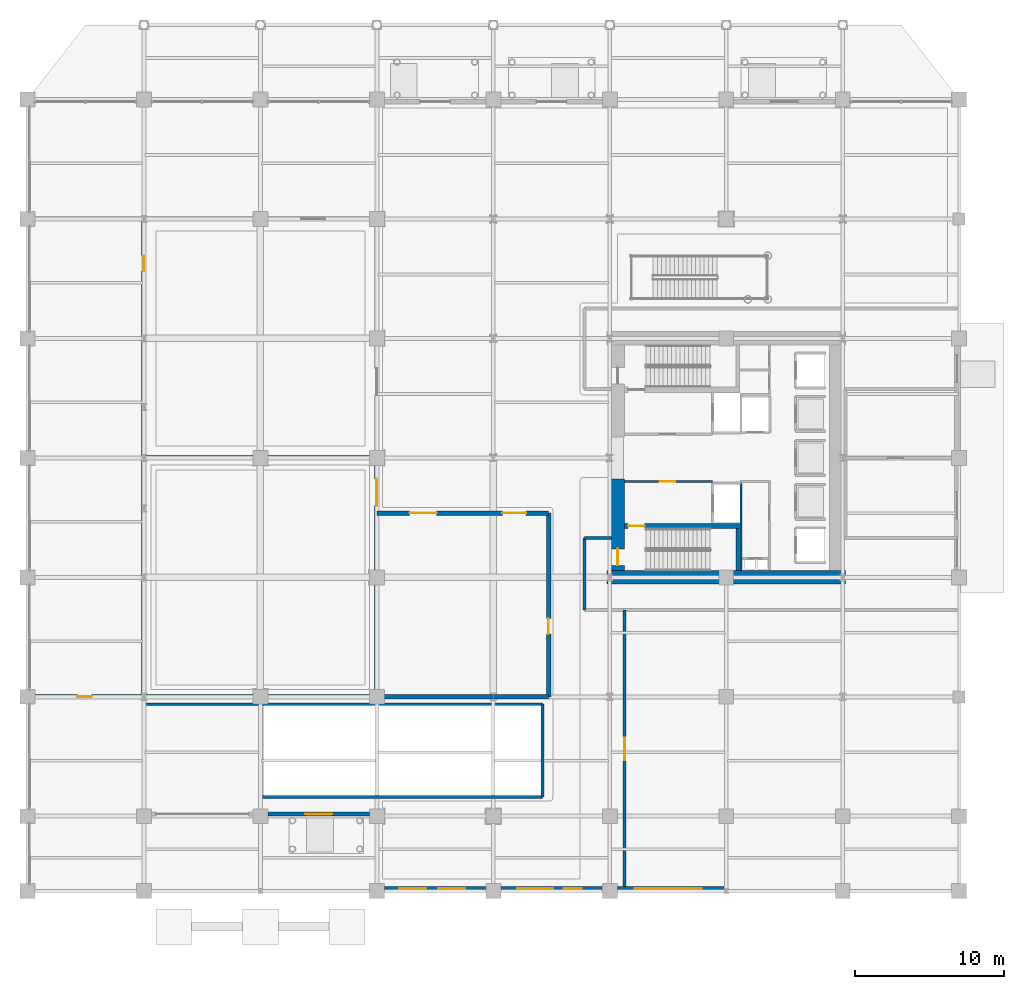
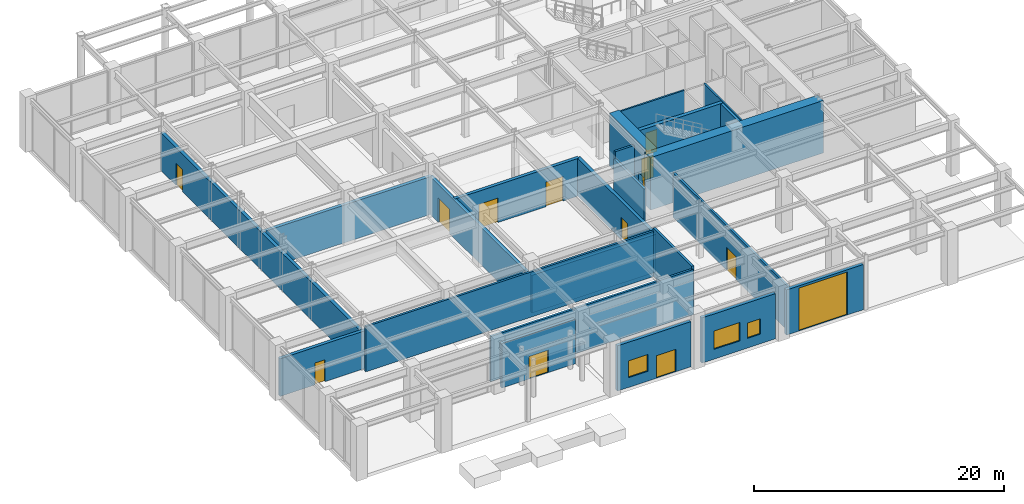
# One storey, part 19 of 27: 23 walls, 13 doors, 3 windows, 16 openings.
"""IFC4 building model written with IfcOpenShell, lengths in metres."""

from ifc_helpers import new_model, si_unit, direction, frame, frame_2d, origin, place, context, subcontext, project, spatial, rectangle, extrude, material, layer, layer_set, type_object, element, fill, save


model = new_model("IFC4")

# Units and contexts
model_context = context("Model", 3, precision=1e-05, world=origin(), true_north=direction((0.0, 1.0)))
body_context = subcontext(model_context, "Body", "Model", "MODEL_VIEW")
ifc_project = project(units=[si_unit("LENGTHUNIT", "METRE"), si_unit("AREAUNIT", "SQUARE_METRE"), si_unit("VOLUMEUNIT", "CUBIC_METRE"), si_unit("PLANEANGLEUNIT", "RADIAN"), si_unit("MASSUNIT", "GRAM", prefix="KILO")], contexts=[model_context])

# Site, building, storey
site_placement = place(None, origin())
site = spatial("IfcSite", under=ifc_project, at=site_placement, CompositionType="ELEMENT")
building_placement = place(site_placement, origin())
building = spatial("IfcBuilding", under=site, at=building_placement, Name="Veymaron Broadcast Tower", CompositionType="ELEMENT")
storey_placement = place(building_placement, origin())
storey = spatial("IfcBuildingStorey", under=building, at=storey_placement, Name="L00", CompositionType="ELEMENT", Elevation=0.0)

# Wall, opening, door
ifc_material_1 = material(Name="Double-stud acoustic gypsum and mineral wool", Category="gypsum")
ifc_layer_1 = layer(ifc_material_1, 0.300048828125)
ifc_layer_set_1 = layer_set([ifc_layer_1], Name="Double-stud acoustic gypsum and mineral wool")
wall_type_1 = type_object("IfcWallType", Name="WALL-ACOUSTIC-300", PredefinedType="PARTITIONING", material=ifc_layer_set_1)
wall_1_placement = place(storey_placement, frame((23.39990234375, 8.0, 0.0), z_axis=(0.0, 0.0, 1.0), x_axis=(0.0, 1.0, 0.0)))
wall_1 = element("IfcWall", 1, at=wall_1_placement, inside=storey, type_object=wall_type_1, Name="L00 partition IW-L00-STU1-E", PredefinedType="PARTITIONING", context=body_context, shape_type="SweptSolid", body=[
    extrude(rectangle(XDim=16.0, YDim=0.300048828125, at=frame_2d((8.0, 0.0))), origin(), (0.0, 0.0, 1.0), 3.68798828125),
])
opening_1_placement = place(wall_1_placement, frame((12.800048828125, 0.0, 0.0)))
opening_1 = element("IfcOpeningElement", 2, at=opening_1_placement, cuts=wall_1, Name="Opening ID-AC1", PredefinedType="OPENING", context=body_context, shape_type="SweptSolid", body=[
    extrude(rectangle(XDim=1.800048828125, YDim=2.39990234375, at=frame_2d((0.89990234375, 1.199951171875))), frame((0.0, 0.16015625, 0.0), z_axis=(0.0, -1.0, 0.0), x_axis=(1.0, 0.0, 0.0)), (0.0, 0.0, 1.0), 0.320068359375),
])
ifc_material_2 = material(Name="STC-55 acoustic steel double leaf with magnetic seals", Category="steel")
door_type_1 = type_object("IfcDoorType", Name="DOOR-ACOUSTIC-1800", OperationType="DOUBLE_DOOR_SINGLE_SWING", PredefinedType="DOOR", material=ifc_material_2)
door_1_placement = place(opening_1_placement, origin())
door_1 = element("IfcDoor", 3, at=door_1_placement, inside=storey, type_object=door_type_1, Name="L00 door DR-L00-STU1", OperationType="SINGLE_SWING_LEFT", OverallHeight=2.39990234375, OverallWidth=1.800048828125, PredefinedType="DOOR", context=body_context, shape_type="SweptSolid", body=[
    extrude(rectangle(XDim=1.800048828125, YDim=2.39990234375, at=frame_2d((0.89990234375, 1.199951171875))), frame((0.0, 0.02490234375, 0.0), z_axis=(0.0, -1.0, 0.0), x_axis=(1.0, 0.0, 0.0)), (0.0, 0.0, 1.0), 0.050048828125),
])
fill(opening_1, door_1)

# Wall
wall_2_placement = place(storey_placement, frame((7.800048828125, 24.0, 0.0), z_axis=(0.0, 0.0, 1.0), x_axis=(1.0, 0.0, 0.0)))
element("IfcWall", 4, at=wall_2_placement, inside=storey, type_object=wall_type_1, Name="L00 partition IW-L00-STU-M", PredefinedType="PARTITIONING", context=body_context, shape_type="SweptSolid", body=[
    extrude(rectangle(XDim=15.599853515625, YDim=0.300048828125, at=frame_2d((7.7998046875, 0.0))), origin(), (0.0, 0.0, 1.0), 3.68798828125),
])

# Wall, opening, door
wall_3_placement = place(storey_placement, frame((7.800048828125, 8.0, 0.0), z_axis=(0.0, 0.0, 1.0), x_axis=(0.0, 1.0, 0.0)))
wall_3 = element("IfcWall", 5, at=wall_3_placement, inside=storey, type_object=wall_type_1, Name="L00 partition IW-L00-STU-W", PredefinedType="PARTITIONING", context=body_context, shape_type="SweptSolid", body=[
    extrude(rectangle(XDim=32.0, YDim=0.300048828125, at=frame_2d((16.0, 0.0))), origin(), (0.0, 0.0, 1.0), 3.68798828125),
])
opening_2_placement = place(wall_3_placement, frame((28.5, 0.0, 0.0)))
opening_2 = element("IfcOpeningElement", 6, at=opening_2_placement, cuts=wall_3, Name="Opening ID-FL1", PredefinedType="OPENING", context=body_context, shape_type="SweptSolid", body=[
    extrude(rectangle(XDim=1.050048828125, YDim=2.14990234375, at=frame_2d((0.52490234375, 1.074951171875))), frame((0.0, 0.16015625, 0.0), z_axis=(0.0, -1.0, 0.0), x_axis=(1.0, 0.0, 0.0)), (0.0, 0.0, 1.0), 0.320068359375),
])
ifc_material_3 = material(Name="Fire-rated painted hollow steel ASTM A653", Category="steel")
door_type_2 = type_object("IfcDoorType", Name="DOOR-FIRE-1050", OperationType="NOTDEFINED", PredefinedType="DOOR", material=ifc_material_3)
door_2_placement = place(opening_2_placement, frame((1.050048828125, 0.0, 0.0), z_axis=(0.0, 0.0, 1.0), x_axis=(-1.0, 0.0, 0.0)))
door_2 = element("IfcDoor", 7, at=door_2_placement, inside=storey, type_object=door_type_2, Name="L00 door DR-L00-SEC", OperationType="SINGLE_SWING_LEFT", OverallHeight=2.14990234375, OverallWidth=1.050048828125, PredefinedType="DOOR", context=body_context, shape_type="SweptSolid", body=[
    extrude(rectangle(XDim=1.050048828125, YDim=2.14990234375, at=frame_2d((0.52490234375, 1.074951171875))), frame((0.0, 0.02490234375, 0.0), z_axis=(0.0, -1.0, 0.0), x_axis=(1.0, 0.0, 0.0)), (0.0, 0.0, 1.0), 0.050048828125),
])
fill(opening_2, door_2)

wall_4_placement = place(storey_placement, frame((0.14990234375, 8.0, 0.0), z_axis=(0.0, 0.0, 1.0), x_axis=(1.0, 0.0, 0.0)))
wall_4 = element("IfcWall", 8, at=wall_4_placement, inside=storey, type_object=wall_type_1, Name="L00 partition IW-L00-STU-S", PredefinedType="PARTITIONING", context=body_context, shape_type="SweptSolid", body=[
    extrude(rectangle(XDim=23.25, YDim=0.300048828125, at=frame_2d((11.625, 0.0))), origin(), (0.0, 0.0, 1.0), 3.68798828125),
])
opening_3_placement = place(wall_4_placement, frame((3.199951171875, 0.0, 0.0)))
opening_3 = element("IfcOpeningElement", 9, at=opening_3_placement, cuts=wall_4, Name="Opening ID-RM1", PredefinedType="OPENING", context=body_context, shape_type="SweptSolid", body=[
    extrude(rectangle(XDim=0.949951171875, YDim=2.14990234375, at=frame_2d((0.47509765625, 1.074951171875))), frame((0.0, 0.16015625, 0.0), z_axis=(0.0, -1.0, 0.0), x_axis=(1.0, 0.0, 0.0)), (0.0, 0.0, 1.0), 0.320068359375),
])
ifc_material_4 = material(Name="Acoustic solid-core European oak veneer timber", Category="wood")
door_type_3 = type_object("IfcDoorType", Name="DOOR-INT-950", OperationType="NOTDEFINED", PredefinedType="DOOR", material=ifc_material_4)
door_3_placement = place(opening_3_placement, frame((0.949951171875, 0.0, 0.0), z_axis=(0.0, 0.0, 1.0), x_axis=(-1.0, 0.0, 0.0)))
door_3 = element("IfcDoor", 10, at=door_3_placement, inside=storey, type_object=door_type_3, Name="L00 door DR-L00-SWG", OperationType="SINGLE_SWING_LEFT", OverallHeight=2.14990234375, OverallWidth=0.949951171875, PredefinedType="DOOR", context=body_context, shape_type="SweptSolid", body=[
    extrude(rectangle(XDim=0.949951171875, YDim=2.14990234375, at=frame_2d((0.47509765625, 1.074951171875))), frame((0.0, 0.02490234375, 0.0), z_axis=(0.0, -1.0, 0.0), x_axis=(1.0, 0.0, 0.0)), (0.0, 0.0, 1.0), 0.050048828125),
])
fill(opening_3, door_3)

# Wall, openings, doors
wall_5_placement = place(storey_placement, frame((23.39990234375, 20.300048828125, 0.0), z_axis=(0.0, 0.0, 1.0), x_axis=(1.0, 0.0, 0.0)))
wall_5 = element("IfcWall", 11, at=wall_5_placement, inside=storey, type_object=wall_type_1, Name="L00 partition IW-L00-AUD-N", PredefinedType="PARTITIONING", context=body_context, shape_type="SweptSolid", body=[
    extrude(rectangle(XDim=11.5, YDim=0.300048828125, at=frame_2d((5.75, 0.0))), origin(), (0.0, 0.0, 1.0), 3.68798828125),
])
opening_4_placement = place(wall_5_placement, frame((2.199951171875, 0.0, 0.0)))
opening_4 = element("IfcOpeningElement", 12, at=opening_4_placement, cuts=wall_5, Name="Opening ID-AC1", PredefinedType="OPENING", context=body_context, shape_type="SweptSolid", body=[
    extrude(rectangle(XDim=1.800048828125, YDim=2.39990234375, at=frame_2d((0.89990234375, 1.199951171875))), frame((0.0, 0.16015625, 0.0), z_axis=(0.0, -1.0, 0.0), x_axis=(1.0, 0.0, 0.0)), (0.0, 0.0, 1.0), 0.320068359375),
])
opening_5_placement = place(wall_5_placement, frame((8.39990234375, 0.0, 0.0)))
opening_5 = element("IfcOpeningElement", 13, at=opening_5_placement, cuts=wall_5, Name="Opening ID-AC2", PredefinedType="OPENING", context=body_context, shape_type="SweptSolid", body=[
    extrude(rectangle(XDim=1.60009765625, YDim=2.39990234375, at=frame_2d((0.800048828125, 1.199951171875))), frame((0.0, 0.16015625, 0.0), z_axis=(0.0, -1.0, 0.0), x_axis=(1.0, 0.0, 0.0)), (0.0, 0.0, 1.0), 0.320068359375),
])
ifc_material_5 = material(Name="STC-55 acoustic steel double leaf", Category="steel")
door_type_4 = type_object("IfcDoorType", Name="DOOR-ACOUSTIC-1600", OperationType="DOUBLE_DOOR_SINGLE_SWING", PredefinedType="DOOR", material=ifc_material_5)
door_4_placement = place(opening_5_placement, origin())
door_4 = element("IfcDoor", 14, at=door_4_placement, inside=storey, type_object=door_type_4, Name="L00 door DR-L00-AUD2", OperationType="SINGLE_SWING_LEFT", OverallHeight=2.39990234375, OverallWidth=1.60009765625, PredefinedType="DOOR", context=body_context, shape_type="SweptSolid", body=[
    extrude(rectangle(XDim=1.60009765625, YDim=2.39990234375, at=frame_2d((0.800048828125, 1.199951171875))), frame((0.0, 0.02490234375, 0.0), z_axis=(0.0, -1.0, 0.0), x_axis=(1.0, 0.0, 0.0)), (0.0, 0.0, 1.0), 0.050048828125),
])
fill(opening_5, door_4)
door_5_placement = place(opening_4_placement, origin())
door_5 = element("IfcDoor", 15, at=door_5_placement, inside=storey, type_object=door_type_1, Name="L00 door DR-L00-AUD1", OperationType="SINGLE_SWING_LEFT", OverallHeight=2.39990234375, OverallWidth=1.800048828125, PredefinedType="DOOR", context=body_context, shape_type="SweptSolid", body=[
    extrude(rectangle(XDim=1.800048828125, YDim=2.39990234375, at=frame_2d((0.89990234375, 1.199951171875))), frame((0.0, 0.02490234375, 0.0), z_axis=(0.0, -1.0, 0.0), x_axis=(1.0, 0.0, 0.0)), (0.0, 0.0, 1.0), 0.050048828125),
])
fill(opening_4, door_5)

# Wall
wall_6_placement = place(storey_placement, frame((23.39990234375, 8.0, 0.0), z_axis=(0.0, 0.0, 1.0), x_axis=(1.0, 0.0, 0.0)))
element("IfcWall", 16, at=wall_6_placement, inside=storey, type_object=wall_type_1, Name="L00 partition IW-L00-AUD-S", PredefinedType="PARTITIONING", context=body_context, shape_type="SweptSolid", body=[
    extrude(rectangle(XDim=11.5, YDim=0.300048828125, at=frame_2d((5.75, 0.0))), origin(), (0.0, 0.0, 1.0), 3.68798828125),
])

# Wall, opening, door
wall_7_placement = place(storey_placement, frame((34.89990234375, 8.0, 0.0), z_axis=(0.0, 0.0, 1.0), x_axis=(0.0, 1.0, 0.0)))
wall_7 = element("IfcWall", 17, at=wall_7_placement, inside=storey, type_object=wall_type_1, Name="L00 partition IW-L00-AUD-E", PredefinedType="PARTITIONING", context=body_context, shape_type="SweptSolid", body=[
    extrude(rectangle(XDim=12.300048828125, YDim=0.300048828125, at=frame_2d((6.14990234375, 0.0))), origin(), (0.0, 0.0, 1.0), 3.68798828125),
])
opening_6_placement = place(wall_7_placement, frame((4.199951171875, 0.0, 0.0)))
opening_6 = element("IfcOpeningElement", 18, at=opening_6_placement, cuts=wall_7, Name="Opening ID-FL1", PredefinedType="OPENING", context=body_context, shape_type="SweptSolid", body=[
    extrude(rectangle(XDim=1.050048828125, YDim=2.14990234375, at=frame_2d((0.52490234375, 1.074951171875))), frame((0.0, 0.16015625, 0.0), z_axis=(0.0, -1.0, 0.0), x_axis=(1.0, 0.0, 0.0)), (0.0, 0.0, 1.0), 0.320068359375),
])
door_6_placement = place(opening_6_placement, origin())
door_6 = element("IfcDoor", 19, at=door_6_placement, inside=storey, type_object=door_type_2, Name="L00 door DR-L00-AUDS", OperationType="SINGLE_SWING_LEFT", OverallHeight=2.14990234375, OverallWidth=1.050048828125, PredefinedType="DOOR", context=body_context, shape_type="SweptSolid", body=[
    extrude(rectangle(XDim=1.050048828125, YDim=2.14990234375, at=frame_2d((0.52490234375, 1.074951171875))), frame((0.0, 0.02490234375, 0.0), z_axis=(0.0, -1.0, 0.0), x_axis=(1.0, 0.0, 0.0)), (0.0, 0.0, 1.0), 0.050048828125),
])
fill(opening_6, door_6)

ifc_material_6 = material(Name="Precast concrete C40/50 with mineral-wool insulation", Category="concrete")
ifc_layer_2 = layer(ifc_material_6, 0.300048828125)
ifc_layer_set_2 = layer_set([ifc_layer_2], Name="Precast concrete C40/50 with mineral-wool insulation")
wall_type_2 = type_object("IfcWallType", Name="WALL-EXT-300", PredefinedType="STANDARD", material=ifc_layer_set_2)
wall_8_placement = place(storey_placement, frame((16.110107421875, 0.14990234375, 0.0), z_axis=(0.0, 0.0, 1.0), x_axis=(1.0, 0.0, 0.0)))
wall_8 = element("IfcWall", 20, at=wall_8_placement, inside=storey, type_object=wall_type_2, Name="L00 south vehicle ramp portal wall", PredefinedType="STANDARD", context=body_context, shape_type="SweptSolid", body=[
    extrude(rectangle(XDim=6.77978515625, YDim=0.300048828125, at=frame_2d((3.389892578125, 0.0))), origin(), (0.0, 0.0, 1.0), 4.337890625),
])
opening_7_placement = place(wall_8_placement, frame((2.5, 0.0, 0.0)))
opening_7 = element("IfcOpeningElement", 21, at=opening_7_placement, cuts=wall_8, Name="Opening ED-EX1", PredefinedType="OPENING", context=body_context, shape_type="SweptSolid", body=[
    extrude(rectangle(XDim=1.800048828125, YDim=2.199951171875, at=frame_2d((0.89990234375, 1.10009765625))), frame((0.0, 0.16015625, 0.0), z_axis=(0.0, -1.0, 0.0), x_axis=(1.0, 0.0, 0.0)), (0.0, 0.0, 1.0), 0.320068359375),
])
ifc_material_7 = material(Name="Painted galvanized hollow steel ASTM A653", Category="steel")
door_type_5 = type_object("IfcDoorType", Name="DOOR-EXT-1800", OperationType="DOUBLE_DOOR_SINGLE_SWING", PredefinedType="DOOR", material=ifc_material_7)
door_7_placement = place(opening_7_placement, frame((1.800048828125, 0.0, 0.0), z_axis=(0.0, 0.0, 1.0), x_axis=(-1.0, 0.0, 0.0)))
door_7 = element("IfcDoor", 22, at=door_7_placement, inside=storey, type_object=door_type_5, Name="L00 south accessible arrival entrance door", OperationType="SINGLE_SWING_LEFT", OverallHeight=2.199951171875, OverallWidth=1.800048828125, PredefinedType="DOOR", context=body_context, shape_type="SweptSolid", body=[
    extrude(rectangle(XDim=1.800048828125, YDim=2.199951171875, at=frame_2d((0.89990234375, 1.10009765625))), frame((0.0, 0.02490234375, 0.0), z_axis=(0.0, -1.0, 0.0), x_axis=(1.0, 0.0, 0.0)), (0.0, 0.0, 1.0), 0.050048828125),
])
fill(opening_7, door_7)

wall_9_placement = place(storey_placement, frame((39.510009765625, -4.85009765625, 0.0), z_axis=(0.0, 0.0, 1.0), x_axis=(1.0, 0.0, 0.0)))
wall_9 = element("IfcWall", 23, at=wall_9_placement, inside=storey, type_object=wall_type_2, Name="L00 OB-van dock south facade wall", PredefinedType="STANDARD", context=body_context, shape_type="SweptSolid", body=[
    extrude(rectangle(XDim=7.125, YDim=0.300048828125, at=frame_2d((3.5625, 0.0))), origin(), (0.0, 0.0, 1.0), 4.4150390625),
])
opening_8_placement = place(wall_9_placement, frame((1.14990234375, 0.0, 0.0)))
opening_8 = element("IfcOpeningElement", 24, at=opening_8_placement, cuts=wall_9, Name="Opening ED-OB1", PredefinedType="OPENING", context=body_context, shape_type="SweptSolid", body=[
    extrude(rectangle(XDim=4.5, YDim=4.199951171875, at=frame_2d((2.25, 2.10009765625))), frame((0.0, 0.16015625, 0.0), z_axis=(0.0, -1.0, 0.0), x_axis=(1.0, 0.0, 0.0)), (0.0, 0.0, 1.0), 0.320068359375),
])
ifc_material_8 = material(Name="Acoustic insulated steel roller shutter", Category="steel")
door_type_6 = type_object("IfcDoorType", Name="DOOR-SHUT-4500", OperationType="ROLLINGUP", PredefinedType="GATE", material=ifc_material_8)
door_8_placement = place(opening_8_placement, origin())
door_8 = element("IfcDoor", 25, at=door_8_placement, inside=storey, type_object=door_type_6, Name="L00 OB-van satellite dock shutter", OperationType="ROLLINGUP", OverallHeight=4.199951171875, OverallWidth=4.5, PredefinedType="GATE", context=body_context, shape_type="SweptSolid", body=[
    extrude(rectangle(XDim=4.5, YDim=4.199951171875, at=frame_2d((2.25, 2.10009765625))), frame((0.0, 0.02490234375, 0.0), z_axis=(0.0, -1.0, 0.0), x_axis=(1.0, 0.0, 0.0)), (0.0, 0.0, 1.0), 0.050048828125),
])
fill(opening_8, door_8)

# Wall, openings, door, window
wall_10_placement = place(storey_placement, frame((23.909912109375, -4.85009765625, 0.0), z_axis=(0.0, 0.0, 1.0), x_axis=(1.0, 0.0, 0.0)))
wall_10 = element("IfcWall", 26, at=wall_10_placement, inside=storey, type_object=wall_type_2, Name="L00 south arrival lobby west facade wall", PredefinedType="STANDARD", context=body_context, shape_type="SweptSolid", body=[
    extrude(rectangle(XDim=6.780029296875, YDim=0.300048828125, at=frame_2d((3.39013671875, 0.0))), origin(), (0.0, 0.0, 1.0), 4.4150390625),
])
opening_9_placement = place(wall_10_placement, frame((1.0, 0.0, 0.949951171875)))
opening_9 = element("IfcOpeningElement", 27, at=opening_9_placement, cuts=wall_10, Name="Opening WN4", PredefinedType="OPENING", context=body_context, shape_type="SweptSolid", body=[
    extrude(rectangle(XDim=1.800048828125, YDim=1.64990234375, at=frame_2d((0.89990234375, 0.824951171875))), frame((0.0, 0.16015625, 0.0), z_axis=(0.0, -1.0, 0.0), x_axis=(1.0, 0.0, 0.0)), (0.0, 0.0, 1.0), 0.320068359375),
])
opening_10_placement = place(wall_10_placement, frame((3.60009765625, 0.0, 0.0)))
opening_10 = element("IfcOpeningElement", 28, at=opening_10_placement, cuts=wall_10, Name="Opening ED-EX1", PredefinedType="OPENING", context=body_context, shape_type="SweptSolid", body=[
    extrude(rectangle(XDim=1.800048828125, YDim=2.199951171875, at=frame_2d((0.89990234375, 1.10009765625))), frame((0.0, 0.16015625, 0.0), z_axis=(0.0, -1.0, 0.0), x_axis=(1.0, 0.0, 0.0)), (0.0, 0.0, 1.0), 0.320068359375),
])
door_9_placement = place(opening_10_placement, frame((1.800048828125, 0.0, 0.0), z_axis=(0.0, 0.0, 1.0), x_axis=(-1.0, 0.0, 0.0)))
door_9 = element("IfcDoor", 29, at=door_9_placement, inside=storey, type_object=door_type_5, Name="L00 south auditorium final exit door", OperationType="SINGLE_SWING_LEFT", OverallHeight=2.199951171875, OverallWidth=1.800048828125, PredefinedType="DOOR", context=body_context, shape_type="SweptSolid", body=[
    extrude(rectangle(XDim=1.800048828125, YDim=2.199951171875, at=frame_2d((0.89990234375, 1.10009765625))), frame((0.0, 0.02490234375, 0.0), z_axis=(0.0, -1.0, 0.0), x_axis=(1.0, 0.0, 0.0)), (0.0, 0.0, 1.0), 0.050048828125),
])
fill(opening_10, door_9)
ifc_material_9 = material(Name="Thermally broken aluminium and laminated solar glass", Category="aluminium")
window_type_1 = type_object("IfcWindowType", Name="WIN-EXT-1800", PartitioningType="SINGLE_PANEL", PredefinedType="WINDOW", material=ifc_material_9)
window_1_placement = place(opening_9_placement, origin())
window_1 = element("IfcWindow", 30, at=window_1_placement, inside=storey, type_object=window_type_1, Name="L00 south arrival ribbon window 1", OverallHeight=1.64990234375, OverallWidth=1.800048828125, PartitioningType="SINGLE_PANEL", PredefinedType="WINDOW", context=body_context, shape_type="SweptSolid", body=[
    extrude(rectangle(XDim=1.800048828125, YDim=1.64990234375, at=frame_2d((0.89990234375, 0.824951171875))), frame((0.0, 0.030029296875, 0.0), z_axis=(0.0, -1.0, 0.0), x_axis=(1.0, 0.0, 0.0)), (0.0, 0.0, 1.0), 0.06005859375),
])
fill(opening_9, window_1)

# Wall, openings, windows
wall_11_placement = place(storey_placement, frame((31.7099609375, -4.85009765625, 0.0), z_axis=(0.0, 0.0, 1.0), x_axis=(1.0, 0.0, 0.0)))
wall_11 = element("IfcWall", 31, at=wall_11_placement, inside=storey, type_object=wall_type_2, Name="L00 south arrival lobby east facade wall", PredefinedType="STANDARD", context=body_context, shape_type="SweptSolid", body=[
    extrude(rectangle(XDim=6.780029296875, YDim=0.300048828125, at=frame_2d((3.39013671875, 0.0))), origin(), (0.0, 0.0, 1.0), 4.4150390625),
])
opening_11_placement = place(wall_11_placement, frame((1.10009765625, 0.0, 0.949951171875)))
opening_11 = element("IfcOpeningElement", 32, at=opening_11_placement, cuts=wall_11, Name="Opening WN1", PredefinedType="OPENING", context=body_context, shape_type="SweptSolid", body=[
    extrude(rectangle(XDim=2.39990234375, YDim=1.800048828125, at=frame_2d((1.199951171875, 0.89990234375))), frame((0.0, 0.16015625, 0.0), z_axis=(0.0, -1.0, 0.0), x_axis=(1.0, 0.0, 0.0)), (0.0, 0.0, 1.0), 0.320068359375),
])
opening_12_placement = place(wall_11_placement, frame((4.199951171875, 0.0, 0.949951171875)))
opening_12 = element("IfcOpeningElement", 33, at=opening_12_placement, cuts=wall_11, Name="Opening WN3", PredefinedType="OPENING", context=body_context, shape_type="SweptSolid", body=[
    extrude(rectangle(XDim=1.199951171875, YDim=1.5, at=frame_2d((0.60009765625, 0.75))), frame((0.0, 0.16015625, 0.0), z_axis=(0.0, -1.0, 0.0), x_axis=(1.0, 0.0, 0.0)), (0.0, 0.0, 1.0), 0.320068359375),
])
ifc_material_10 = material(Name="Thermally broken aluminium and laminated glass", Category="aluminium")
window_type_2 = type_object("IfcWindowType", Name="WIN-EXT-1200", PartitioningType="SINGLE_PANEL", PredefinedType="WINDOW", material=ifc_material_10)
window_2_placement = place(opening_12_placement, origin())
window_2 = element("IfcWindow", 34, at=window_2_placement, inside=storey, type_object=window_type_2, Name="L00 south arrival ribbon window 3", OverallHeight=1.5, OverallWidth=1.199951171875, PartitioningType="SINGLE_PANEL", PredefinedType="WINDOW", context=body_context, shape_type="SweptSolid", body=[
    extrude(rectangle(XDim=1.199951171875, YDim=1.5, at=frame_2d((0.60009765625, 0.75))), frame((0.0, 0.030029296875, 0.0), z_axis=(0.0, -1.0, 0.0), x_axis=(1.0, 0.0, 0.0)), (0.0, 0.0, 1.0), 0.06005859375),
])
fill(opening_12, window_2)
ifc_material_11 = material(Name="Thermally broken aluminium and triple-glazed solar glass", Category="aluminium")
window_type_3 = type_object("IfcWindowType", Name="WIN-EXT-2400", PartitioningType="SINGLE_PANEL", PredefinedType="WINDOW", material=ifc_material_11)
window_3_placement = place(opening_11_placement, origin())
window_3 = element("IfcWindow", 35, at=window_3_placement, inside=storey, type_object=window_type_3, Name="L00 south arrival ribbon window 2", OverallHeight=1.800048828125, OverallWidth=2.39990234375, PartitioningType="SINGLE_PANEL", PredefinedType="WINDOW", context=body_context, shape_type="SweptSolid", body=[
    extrude(rectangle(XDim=2.39990234375, YDim=1.800048828125, at=frame_2d((1.199951171875, 0.89990234375))), frame((0.0, 0.030029296875, 0.0), z_axis=(0.0, -1.0, 0.0), x_axis=(1.0, 0.0, 0.0)), (0.0, 0.0, 1.0), 0.06005859375),
])
fill(opening_11, window_3)

# Wall, opening, door
ifc_material_12 = material(Name="Gypsum fireboard and steel stud framing", Category="steel")
ifc_layer_3 = layer(ifc_material_12, 0.14990234375)
ifc_layer_set_3 = layer_set([ifc_layer_3], Name="Gypsum fireboard and steel stud framing")
wall_type_3 = type_object("IfcWallType", Name="WALL-FIRE-150", PredefinedType="PARTITIONING", material=ifc_layer_set_3)
wall_12_placement = place(storey_placement, frame((39.97998046875, 22.425048828125, 0.0), z_axis=(0.0, 0.0, 1.0), x_axis=(1.0, 0.0, 0.0)))
wall_12 = element("IfcWall", 36, at=wall_12_placement, inside=storey, type_object=wall_type_3, Name="L00 partition IW-L00-FFLS-N", PredefinedType="PARTITIONING", context=body_context, shape_type="SweptSolid", body=[
    extrude(rectangle(XDim=5.89990234375, YDim=0.14990234375, at=frame_2d((2.949951171875, 0.0))), origin(), (0.0, 0.0, 1.0), 5.1201171875),
])
opening_13_placement = place(wall_12_placement, frame((2.35009765625, 0.0, 0.0)))
opening_13 = element("IfcOpeningElement", 37, at=opening_13_placement, cuts=wall_12, Name="Opening ID-FL1", PredefinedType="OPENING", context=body_context, shape_type="SweptSolid", body=[
    extrude(rectangle(XDim=1.050048828125, YDim=2.14990234375, at=frame_2d((0.52490234375, 1.074951171875))), frame((0.0, 0.0849609375, 0.0), z_axis=(0.0, -1.0, 0.0), x_axis=(1.0, 0.0, 0.0)), (0.0, 0.0, 1.0), 0.169921875),
])
door_10_placement = place(opening_13_placement, frame((1.050048828125, 0.0, 0.0), z_axis=(0.0, 0.0, 1.0), x_axis=(-1.0, 0.0, 0.0)))
door_10 = element("IfcDoor", 38, at=door_10_placement, inside=storey, type_object=door_type_2, Name="L00 door DR-L00-FFLS", OperationType="SINGLE_SWING_RIGHT", OverallHeight=2.14990234375, OverallWidth=1.050048828125, PredefinedType="DOOR", context=body_context, shape_type="SweptSolid", body=[
    extrude(rectangle(XDim=1.050048828125, YDim=2.14990234375, at=frame_2d((0.52490234375, 1.074951171875))), frame((0.0, 0.02490234375, 0.0), z_axis=(0.0, -1.0, 0.0), x_axis=(1.0, 0.0, 0.0)), (0.0, 0.0, 1.0), 0.050048828125),
])
fill(opening_13, door_10)

# Walls
wall_13_placement = place(storey_placement, frame((47.780029296875, 16.449951171875, 0.0), z_axis=(0.0, 0.0, 1.0), x_axis=(0.0, 1.0, 0.0)))
element("IfcWall", 39, at=wall_13_placement, inside=storey, type_object=wall_type_3, Name="L00 partition IW-L00-SM-W", PredefinedType="PARTITIONING", context=body_context, shape_type="SweptSolid", body=[
    extrude(rectangle(XDim=5.97509765625, YDim=0.14990234375, at=frame_2d((2.987548828125, 0.0))), origin(), (0.0, 0.0, 1.0), 5.1201171875),
])
ifc_material_13 = material(Name="Concrete C40/50", Category="concrete")
ifc_layer_4 = layer(ifc_material_13, 0.199951171875)
ifc_layer_set_4 = layer_set([ifc_layer_4], Name="Concrete C40/50")
wall_type_4 = type_object("IfcWallType", Name="WALL-FIRE-200", PredefinedType="SOLIDWALL", material=ifc_layer_set_4)
wall_14_placement = place(storey_placement, frame((7.800048828125, 7.5, 0.0), z_axis=(0.0, 0.0, 1.0), x_axis=(1.0, 0.0, 0.0)))
element("IfcWall", 40, at=wall_14_placement, inside=storey, type_object=wall_type_4, Name="L00 partition IW-L00-RMP-N", PredefinedType="SOLIDWALL", context=body_context, shape_type="SweptSolid", body=[
    extrude(rectangle(XDim=26.699951171875, YDim=0.199951171875, at=frame_2d((13.35009765625, 0.0))), origin(), (0.0, 0.0, 1.0), 4.4150390625),
])
wall_15_placement = place(storey_placement, frame((34.5, 1.300048828125, 0.0), z_axis=(0.0, 0.0, 1.0), x_axis=(0.0, 1.0, 0.0)))
element("IfcWall", 41, at=wall_15_placement, inside=storey, type_object=wall_type_4, Name="L00 partition IW-L00-RMP-E", PredefinedType="SOLIDWALL", context=body_context, shape_type="SweptSolid", body=[
    extrude(rectangle(XDim=6.199951171875, YDim=0.199951171875, at=frame_2d((3.10009765625, 0.0))), origin(), (0.0, 0.0, 1.0), 4.700927734375),
])
wall_16_placement = place(storey_placement, frame((15.75, 1.300048828125, 0.0), z_axis=(0.0, 0.0, 1.0), x_axis=(1.0, 0.0, 0.0)))
element("IfcWall", 42, at=wall_16_placement, inside=storey, type_object=wall_type_4, Name="L00 partition IW-L00-RMP-S", PredefinedType="SOLIDWALL", context=body_context, shape_type="SweptSolid", body=[
    extrude(rectangle(XDim=18.75, YDim=0.199951171875, at=frame_2d((9.375, 0.0))), origin(), (0.0, 0.0, 1.0), 4.4150390625),
])
wall_17_placement = place(storey_placement, frame((37.300048828125, 13.800048828125, 0.0), z_axis=(0.0, 0.0, 1.0), x_axis=(0.0, 1.0, 0.0)))
element("IfcWall", 43, at=wall_17_placement, inside=storey, type_object=wall_type_4, Name="L00 partition IW-L00-EX2-W", PredefinedType="SOLIDWALL", context=body_context, shape_type="SweptSolid", body=[
    extrude(rectangle(XDim=4.849853515625, YDim=0.199951171875, at=frame_2d((2.4248046875, 0.0))), origin(), (0.0, 0.0, 1.0), 3.68798828125),
])
wall_18_placement = place(storey_placement, frame((37.300048828125, 18.64990234375, 0.0), z_axis=(0.0, 0.0, 1.0), x_axis=(1.0, 0.0, 0.0)))
element("IfcWall", 44, at=wall_18_placement, inside=storey, type_object=wall_type_4, Name="L00 partition IW-L00-EX2-N0", PredefinedType="SOLIDWALL", context=body_context, shape_type="SweptSolid", body=[
    extrude(rectangle(XDim=1.800048828125, YDim=0.199951171875, at=frame_2d((0.89990234375, 0.0))), origin(), (0.0, 0.0, 1.0), 4.4150390625),
])

# Wall, opening, door
wall_19_placement = place(storey_placement, frame((40.0, -4.85009765625, 0.0), z_axis=(0.0, 0.0, 1.0), x_axis=(0.0, 1.0, 0.0)))
wall_19 = element("IfcWall", 45, at=wall_19_placement, inside=storey, type_object=wall_type_4, Name="L00 partition IW-L00-OBD-W", PredefinedType="SOLIDWALL", context=body_context, shape_type="SweptSolid", body=[
    extrude(rectangle(XDim=18.650146484375, YDim=0.199951171875, at=frame_2d((9.3251953125, 0.0))), origin(), (0.0, 0.0, 1.0), 4.337890625),
])
opening_14_placement = place(wall_19_placement, frame((8.60009765625, 0.0, 0.0)))
opening_14 = element("IfcOpeningElement", 46, at=opening_14_placement, cuts=wall_19, Name="Opening ID-PL2", PredefinedType="OPENING", context=body_context, shape_type="SweptSolid", body=[
    extrude(rectangle(XDim=1.5, YDim=2.25, at=frame_2d((0.75, 1.125))), frame((0.0, 0.10986328125, 0.0), z_axis=(0.0, -1.0, 0.0), x_axis=(1.0, 0.0, 0.0)), (0.0, 0.0, 1.0), 0.219970703125),
])
ifc_material_14 = material(Name="Heavy-duty acoustic galvanized steel", Category="steel")
door_type_7 = type_object("IfcDoorType", Name="DOOR-PLANT-1500", OperationType="DOUBLE_DOOR_SINGLE_SWING", PredefinedType="DOOR", material=ifc_material_14)
door_11_placement = place(opening_14_placement, origin())
door_11 = element("IfcDoor", 47, at=door_11_placement, inside=storey, type_object=door_type_7, Name="L00 door DR-L00-OBD", OperationType="SINGLE_SWING_LEFT", OverallHeight=2.25, OverallWidth=1.5, PredefinedType="DOOR", context=body_context, shape_type="SweptSolid", body=[
    extrude(rectangle(XDim=1.5, YDim=2.25, at=frame_2d((0.75, 1.125))), frame((0.0, 0.02490234375, 0.0), z_axis=(0.0, -1.0, 0.0), x_axis=(1.0, 0.0, 0.0)), (0.0, 0.0, 1.0), 0.050048828125),
])
fill(opening_14, door_11)

# Wall
ifc_material_15 = material(Name="Concrete C50/60", Category="concrete")
ifc_layer_5 = layer(ifc_material_15, 0.25)
ifc_layer_set_5 = layer_set([ifc_layer_5], Name="Concrete C50/60")
wall_type_5 = type_object("IfcWallType", Name="WALL-SHEAR-250", PredefinedType="SHEAR", material=ifc_layer_set_5)
wall_20_placement = place(storey_placement, frame((47.56494140625, 16.449951171875, 0.0), z_axis=(0.0, 0.0, 1.0), x_axis=(0.0, 1.0, 0.0)))
element("IfcWall", 48, at=wall_20_placement, inside=storey, type_object=wall_type_5, Name="L00 Core Wall south stair east shear", PredefinedType="SHEAR", context=body_context, shape_type="SweptSolid", body=[
    extrude(rectangle(XDim=2.820068359375, YDim=0.25, at=frame_2d((1.41015625, 0.0))), origin(), (0.0, 0.0, 1.0), 5.1201171875),
])

# Wall, opening, door
ifc_layer_6 = layer(ifc_material_15, 0.35009765625)
ifc_layer_set_6 = layer_set([ifc_layer_6], Name="Concrete C50/60")
wall_type_6 = type_object("IfcWallType", Name="WALL-SHEAR-350", PredefinedType="SHEAR", material=ifc_layer_set_6)
wall_21_placement = place(storey_placement, frame((39.97998046875, 19.445068359375, 0.0), z_axis=(0.0, 0.0, 1.0), x_axis=(1.0, 0.0, 0.0)))
wall_21 = element("IfcWall", 49, at=wall_21_placement, inside=storey, type_object=wall_type_6, Name="L00 Core Wall south stair spine", PredefinedType="SHEAR", context=body_context, shape_type="SweptSolid", body=[
    extrude(rectangle(XDim=7.7099609375, YDim=0.35009765625, at=frame_2d((3.85498046875, 0.0))), origin(), (0.0, 0.0, 1.0), 5.1201171875),
])
opening_15_placement = place(wall_21_placement, frame((0.25, 0.0, 0.0)))
opening_15 = element("IfcOpeningElement", 50, at=opening_15_placement, cuts=wall_21, Name="Opening ID-ST1", PredefinedType="OPENING", context=body_context, shape_type="SweptSolid", body=[
    extrude(rectangle(XDim=1.10009765625, YDim=2.14990234375, at=frame_2d((0.550048828125, 1.074951171875))), frame((0.0, 0.18505859375, 0.0), z_axis=(0.0, -1.0, 0.0), x_axis=(1.0, 0.0, 0.0)), (0.0, 0.0, 1.0), 0.3701171875),
])
door_type_8 = type_object("IfcDoorType", Name="DOOR-STAIR-1100", OperationType="NOTDEFINED", PredefinedType="DOOR", material=ifc_material_3)
door_12_placement = place(opening_15_placement, frame((1.10009765625, 0.0, 0.0), z_axis=(0.0, 0.0, 1.0), x_axis=(-1.0, 0.0, 0.0)))
door_12 = element("IfcDoor", 51, at=door_12_placement, inside=storey, type_object=door_type_8, Name="L00 exit stair ST2 fire door", OperationType="SINGLE_SWING_RIGHT", OverallHeight=2.14990234375, OverallWidth=1.10009765625, PredefinedType="DOOR", context=body_context, shape_type="SweptSolid", body=[
    extrude(rectangle(XDim=1.10009765625, YDim=2.14990234375, at=frame_2d((0.550048828125, 1.074951171875))), frame((0.0, 0.02490234375, 0.0), z_axis=(0.0, -1.0, 0.0), x_axis=(1.0, 0.0, 0.0)), (0.0, 0.0, 1.0), 0.050048828125),
])
fill(opening_15, door_12)

# Wall
ifc_material_16 = material(Name="Concrete C70/85", Category="concrete")
ifc_layer_7 = layer(ifc_material_16, 0.89990234375)
ifc_layer_set_7 = layer_set([ifc_layer_7], Name="Concrete C70/85")
wall_type_7 = type_object("IfcWallType", Name="WALL-SHEAR-900", PredefinedType="SHEAR", material=ifc_layer_set_7)
wall_22_placement = place(storey_placement, frame((38.800048828125, 16.0, 0.0), z_axis=(0.0, 0.0, 1.0), x_axis=(1.0, 0.0, 0.0)))
element("IfcWall", 52, at=wall_22_placement, inside=storey, type_object=wall_type_7, Name="L00 Core Wall south shear", PredefinedType="SHEAR", context=body_context, shape_type="SweptSolid", body=[
    extrude(rectangle(XDim=16.0, YDim=0.89990234375, at=frame_2d((8.0, 0.0))), origin(), (0.0, 0.0, 1.0), 5.1201171875),
])

# Wall, opening, door
wall_23_placement = place(storey_placement, frame((39.530029296875, 16.449951171875, 0.0), z_axis=(0.0, 0.0, 1.0), x_axis=(0.0, 1.0, 0.0)))
wall_23 = element("IfcWall", 53, at=wall_23_placement, inside=storey, type_object=wall_type_7, Name="L00 Core Wall west-south shear", PredefinedType="SHEAR", context=body_context, shape_type="SweptSolid", body=[
    extrude(rectangle(XDim=6.150146484375, YDim=0.89990234375, at=frame_2d((3.0751953125, 0.0))), origin(), (0.0, 0.0, 1.0), 5.1201171875),
])
opening_16_placement = place(wall_23_placement, frame((0.35009765625, 0.0, 0.0)))
opening_16 = element("IfcOpeningElement", 54, at=opening_16_placement, cuts=wall_23, Name="Opening ID-ST1", PredefinedType="OPENING", context=body_context, shape_type="SweptSolid", body=[
    extrude(rectangle(XDim=1.10009765625, YDim=2.14990234375, at=frame_2d((0.550048828125, 1.074951171875))), frame((0.0, 0.4599609375, 0.0), z_axis=(0.0, -1.0, 0.0), x_axis=(1.0, 0.0, 0.0)), (0.0, 0.0, 1.0), 0.919921875),
])
door_13_placement = place(opening_16_placement, frame((1.10009765625, 0.0, 0.0), z_axis=(0.0, 0.0, 1.0), x_axis=(-1.0, 0.0, 0.0)))
door_13 = element("IfcDoor", 55, at=door_13_placement, inside=storey, type_object=door_type_8, Name="L00 exit stair ST2 protected passageway discharge door", OperationType="SINGLE_SWING_RIGHT", OverallHeight=2.14990234375, OverallWidth=1.10009765625, PredefinedType="DOOR", context=body_context, shape_type="SweptSolid", body=[
    extrude(rectangle(XDim=1.10009765625, YDim=2.14990234375, at=frame_2d((0.550048828125, 1.074951171875))), frame((0.0, 0.02490234375, 0.0), z_axis=(0.0, -1.0, 0.0), x_axis=(1.0, 0.0, 0.0)), (0.0, 0.0, 1.0), 0.050048828125),
])
fill(opening_16, door_13)

save(model, "model.ifc")
